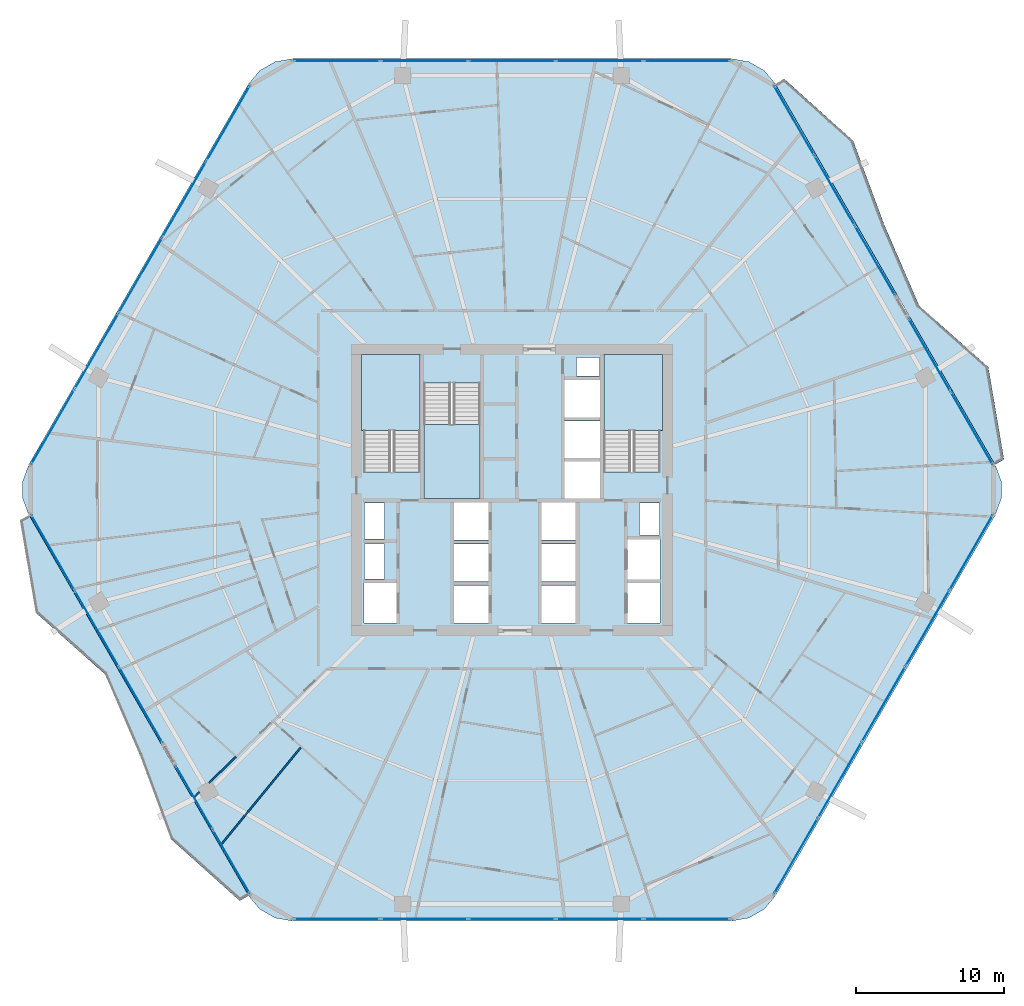
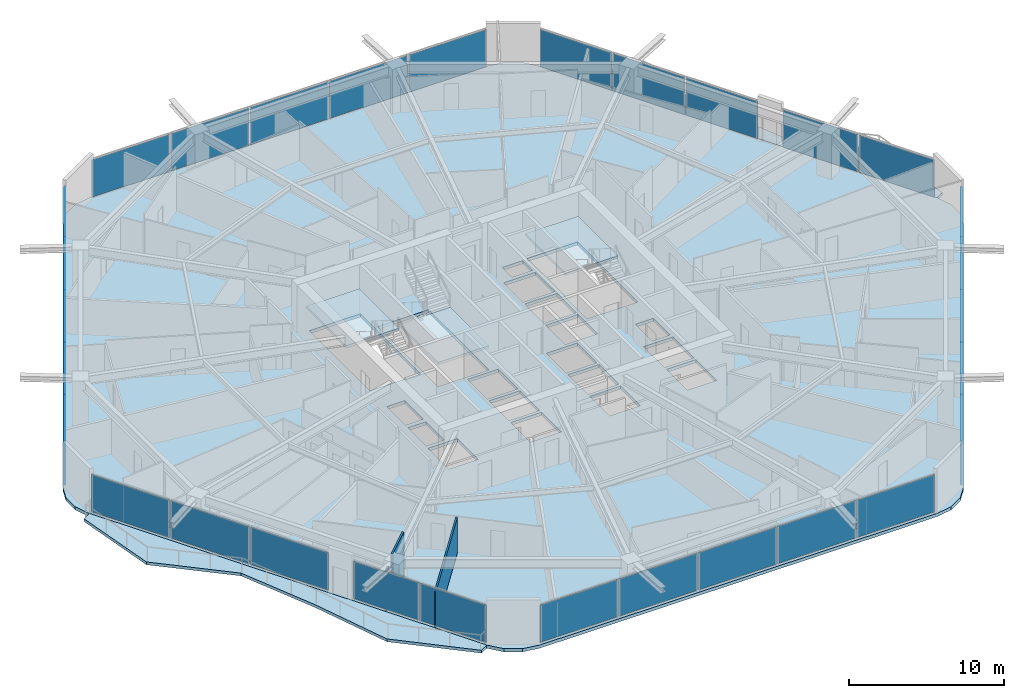
# One storey, part 23 of 32: 30 plates, 6 slabs, 3 walls, 11 elements without a shape of their own.
"""IFC4 building model written with IfcOpenShell, lengths in metres."""

from ifc_helpers import new_model, si_unit, direction, frame, frame_2d, origin, origin_2d, place, context, subcontext, project, spatial, polyline, rectangle, outline, extrude, material, layer, layer_set, type_object, element, aggregate, save


model = new_model("IFC4")

# Units and contexts
model_context = context("Model", 3, precision=1e-05, world=origin(), true_north=direction((0.0, 1.0)))
body_context = subcontext(model_context, "Body", "Model", "MODEL_VIEW")
ifc_project = project(units=[si_unit("LENGTHUNIT", "METRE"), si_unit("AREAUNIT", "SQUARE_METRE"), si_unit("VOLUMEUNIT", "CUBIC_METRE"), si_unit("PLANEANGLEUNIT", "RADIAN"), si_unit("MASSUNIT", "GRAM", prefix="KILO")], contexts=[model_context])

# Site, building, storey
site_placement = place(None, origin())
site = spatial("IfcSite", under=ifc_project, at=site_placement, CompositionType="ELEMENT")
building_placement = place(site_placement, origin())
building = spatial("IfcBuilding", under=site, at=building_placement, Name="Zuhravey Tower", CompositionType="ELEMENT")
storey_placement = place(building_placement, frame((0.0, 0.0, 111.39990234375)))
storey = spatial("IfcBuildingStorey", under=building, at=storey_placement, Name="L27", CompositionType="ELEMENT", Elevation=111.39990234375)

# Slabs
ifc_material_1 = material(Name="Concrete C50/60", Category="concrete")
ifc_layer_1 = layer(ifc_material_1, 0.25)
ifc_layer_set_1 = layer_set([ifc_layer_1], Name="Concrete C50/60")
slab_type_1 = type_object("IfcSlabType", Name="Residential Acoustic Slab 250", PredefinedType="FLOOR", material=ifc_layer_set_1)
slab_1_placement = place(storey_placement, frame((0.0, 0.0, -0.25)))
element("IfcSlab", 1, at=slab_1_placement, inside=storey, type_object=slab_type_1, Name="L27 Floor Slab FS25", PredefinedType="FLOOR", context=body_context, shape_type="SweptSolid", body=[
    extrude(outline(polyline([(68.618408203125, 30.300048828125), (69.0224609375, 31.40966796875), (69.0224609375, 32.59033203125), (68.618408203125, 33.699951171875), (53.781494140625, 59.3984375), (53.0224609375, 60.302978515625), (52.0, 60.893310546875), (50.8369140625, 61.098388671875), (21.1630859375, 61.098388671875), (20.0, 60.893310546875), (18.9775390625, 60.302978515625), (18.218505859375, 59.3984375), (3.381591796875, 33.699951171875), (2.9775390625, 32.59033203125), (2.9775390625, 31.40966796875), (3.381591796875, 30.300048828125), (18.218505859375, 4.6015625), (18.9775390625, 3.697021484375), (20.0, 3.106689453125), (21.1630859375, 2.901611328125), (50.8369140625, 2.901611328125), (52.0, 3.106689453125), (53.0224609375, 3.697021484375), (53.781494140625, 4.6015625), (68.618408203125, 30.300048828125)]), holes=[polyline([(29.800048828125, 33.20068359375), (29.800048828125, 41.0), (26.0, 41.0), (26.0, 33.20068359375), (29.800048828125, 33.20068359375)]), polyline([(46.0, 33.20068359375), (46.0, 41.0), (42.199951171875, 41.0), (42.199951171875, 33.20068359375), (46.0, 33.20068359375)]), polyline([(30.050048828125, 39.199462890625), (30.050048828125, 31.39990234375), (33.85009765625, 31.39990234375), (33.85009765625, 39.199462890625), (30.050048828125, 39.199462890625)]), polyline([(32.10009765625, 23.0), (34.39990234375, 23.0), (34.39990234375, 25.550048828125), (32.10009765625, 25.550048828125), (32.10009765625, 23.0)]), polyline([(32.10009765625, 25.800048828125), (34.39990234375, 25.800048828125), (34.39990234375, 28.35009765625), (32.10009765625, 28.35009765625), (32.10009765625, 25.800048828125)]), polyline([(32.10009765625, 28.60009765625), (34.39990234375, 28.60009765625), (34.39990234375, 31.14990234375), (32.10009765625, 31.14990234375), (32.10009765625, 28.60009765625)]), polyline([(38.0, 23.0), (40.300048828125, 23.0), (40.300048828125, 25.550048828125), (38.0, 25.550048828125), (38.0, 23.0)]), polyline([(38.0, 25.800048828125), (40.300048828125, 25.800048828125), (40.300048828125, 28.35009765625), (38.0, 28.35009765625), (38.0, 25.800048828125)]), polyline([(38.0, 28.60009765625), (40.300048828125, 28.60009765625), (40.300048828125, 31.14990234375), (38.0, 31.14990234375), (38.0, 28.60009765625)]), polyline([(39.550048828125, 31.39990234375), (41.949951171875, 31.39990234375), (41.949951171875, 33.89990234375), (39.550048828125, 33.89990234375), (39.550048828125, 31.39990234375)]), polyline([(39.550048828125, 34.14990234375), (41.949951171875, 34.14990234375), (41.949951171875, 36.64990234375), (39.550048828125, 36.64990234375), (39.550048828125, 34.14990234375)]), polyline([(39.550048828125, 36.89990234375), (41.949951171875, 36.89990234375), (41.949951171875, 39.39990234375), (39.550048828125, 39.39990234375), (39.550048828125, 36.89990234375)]), polyline([(26.0, 23.0), (28.199951171875, 23.0), (28.199951171875, 25.699951171875), (26.0, 25.699951171875), (26.0, 23.0)]), polyline([(43.800048828125, 23.0), (46.0, 23.0), (46.0, 25.699951171875), (43.800048828125, 25.699951171875), (43.800048828125, 23.0)]), polyline([(43.800048828125, 25.949951171875), (46.0, 25.949951171875), (46.0, 28.64990234375), (43.800048828125, 28.64990234375), (43.800048828125, 25.949951171875)]), polyline([(26.050048828125, 26.0), (27.39990234375, 26.0), (27.39990234375, 28.35009765625), (26.050048828125, 28.35009765625), (26.050048828125, 26.0)]), polyline([(26.050048828125, 28.699951171875), (27.39990234375, 28.699951171875), (27.39990234375, 31.10009765625), (26.050048828125, 31.10009765625), (26.050048828125, 28.699951171875)]), polyline([(44.60009765625, 28.949951171875), (45.949951171875, 28.949951171875), (45.949951171875, 31.10009765625), (44.60009765625, 31.10009765625), (44.60009765625, 28.949951171875)]), polyline([(40.35009765625, 39.699951171875), (41.89990234375, 39.699951171875), (41.89990234375, 40.949951171875), (40.35009765625, 40.949951171875), (40.35009765625, 39.699951171875)])]), origin(), (0.0, 0.0, 1.0), 0.25),
])
ifc_material_2 = material(Name="Concrete C40/50", Category="concrete")
ifc_layer_2 = layer(ifc_material_2, 0.219970703125)
ifc_layer_set_2 = layer_set([ifc_layer_2], Name="Concrete C40/50")
slab_type_2 = type_object("IfcSlabType", Name="Sinusoidal Residential Wave Balcony 220", PredefinedType="FLOOR", material=ifc_layer_set_2)
slab_2_placement = place(storey_placement, frame((0.0, 0.0, -0.219970703125)))
element("IfcSlab", 2, at=slab_2_placement, inside=storey, type_object=slab_type_2, Name="L27 Face 4 Wave Balcony WB22", PredefinedType="FLOOR", context=body_context, shape_type="SweptSolid", body=[
    extrude(outline(polyline([(3.398681640625, 30.300048828125), (18.227294921875, 4.616455078125), (17.62109375, 4.2666015625), (12.975830078125, 8.43359375), (10.888916015625, 14.07763671875), (8.523193359375, 19.560791015625), (3.853515625, 23.71337890625), (2.79248046875, 29.949951171875), (3.398681640625, 30.300048828125)])), origin(), (0.0, 0.0, 1.0), 0.219970703125),
])
slab_3_placement = place(storey_placement, frame((0.0, 0.0, -0.219970703125)))
element("IfcSlab", 3, at=slab_3_placement, inside=storey, type_object=slab_type_2, Name="L27 Face 1 Wave Balcony WB22", PredefinedType="FLOOR", context=body_context, shape_type="SweptSolid", body=[
    extrude(outline(polyline([(68.601318359375, 33.699951171875), (53.772705078125, 59.383544921875), (54.37890625, 59.7333984375), (59.024169921875, 55.56640625), (61.111083984375, 49.92236328125), (63.476806640625, 44.439208984375), (68.146484375, 40.28662109375), (69.20751953125, 34.050048828125), (68.601318359375, 33.699951171875)])), origin(), (0.0, 0.0, 1.0), 0.219970703125),
])

# Stair, slab
stair_type = type_object("IfcStairType", Name="Housing Storey Stair Assembly 3800", PredefinedType="HALF_TURN_STAIR", material=ifc_material_2)
stair_1_placement = place(storey_placement, origin())
stair_1 = element("IfcStair", 4, at=stair_1_placement, inside=storey, type_object=stair_type, Name="L27 Core Exit Stair ST1", PredefinedType="HALF_TURN_STAIR")
ifc_layer_3 = layer(ifc_material_2, 0.199951171875)
ifc_layer_set_3 = layer_set([ifc_layer_3], Name="Concrete C40/50")
slab_type_3 = type_object("IfcSlabType", Name="Stair Landing Slab 200", PredefinedType="LANDING", material=ifc_layer_set_3)
slab_4_placement = place(storey_placement, frame((0.0, 0.0, 1.7001953125)))
slab_4 = element("IfcSlab", 5, at=slab_4_placement, type_object=slab_type_3, Name="ST1 landing 1", PredefinedType="LANDING", context=body_context, shape_type="SweptSolid", body=[
    extrude(outline(polyline([(29.800048828125, 36.0), (29.800048828125, 41.14794921875), (25.85205078125, 41.14794921875), (25.85205078125, 36.0), (29.800048828125, 36.0)])), origin(), (0.0, 0.0, 1.0), 0.199951171875),
])
aggregate(stair_1, [slab_4])

stair_2_placement = place(storey_placement, origin())
stair_2 = element("IfcStair", 6, at=stair_2_placement, inside=storey, type_object=stair_type, Name="L27 Core Exit Stair ST2", PredefinedType="HALF_TURN_STAIR")
slab_5_placement = place(storey_placement, frame((0.0, 0.0, 1.7001953125)))
slab_5 = element("IfcSlab", 7, at=slab_5_placement, type_object=slab_type_3, Name="ST2 landing 1", PredefinedType="LANDING", context=body_context, shape_type="SweptSolid", body=[
    extrude(outline(polyline([(46.14794921875, 36.0), (46.14794921875, 41.14794921875), (42.199951171875, 41.14794921875), (42.199951171875, 36.0), (46.14794921875, 36.0)])), origin(), (0.0, 0.0, 1.0), 0.199951171875),
])
aggregate(stair_2, [slab_5])

stair_3_placement = place(storey_placement, origin())
stair_3 = element("IfcStair", 8, at=stair_3_placement, inside=storey, type_object=stair_type, Name="L27 Core Exit Stair ST3", PredefinedType="HALF_TURN_STAIR")
slab_6_placement = place(storey_placement, frame((0.0, 0.0, 1.7001953125)))
slab_6 = element("IfcSlab", 9, at=slab_6_placement, type_object=slab_type_3, Name="ST3 landing 1", PredefinedType="LANDING", context=body_context, shape_type="SweptSolid", body=[
    extrude(outline(polyline([(30.050048828125, 36.39990234375), (30.050048828125, 31.39990234375), (33.85009765625, 31.39990234375), (33.85009765625, 36.39990234375), (30.050048828125, 36.39990234375)])), origin(), (0.0, 0.0, 1.0), 0.199951171875),
])
aggregate(stair_3, [slab_6])

# Curtain wall, plates
ifc_material_3 = material(Name="Thermally broken anodised aluminium", Category="aluminium")
curtain_wall_type = type_object("IfcCurtainWallType", Name="Zone 1-2 Residential Curtain Wall CW3", PredefinedType="NOTDEFINED", material=ifc_material_3)
curtain_wall_1_placement = place(storey_placement, origin())
curtain_wall_1 = element("IfcCurtainWall", 10, at=curtain_wall_1_placement, inside=storey, type_object=curtain_wall_type, Name="L27 CW3 CW-L27-F6-1", PredefinedType="NOTDEFINED")
ifc_material_4 = material(Name="Triple low-E insulated vision glass", Category="glass")
ifc_layer_4 = layer(ifc_material_4, 0.0419921875)
ifc_layer_set_4 = layer_set([ifc_layer_4], Name="Triple low-E insulated vision glass")
plate_type = type_object("IfcPlateType", Name="Triple Low-E Vision Panel", PredefinedType="CURTAIN_PANEL", material=ifc_layer_set_4)
plate_1_placement = place(storey_placement, frame((66.9873046875, 27.754638671875, 0.090087890625), z_axis=(0.0, 0.0, 1.0), x_axis=(-0.499999794119, -0.86602552265, 0.0)))
plate_1 = element("IfcPlate", 11, at=plate_1_placement, type_object=plate_type, Name="CW3 panel 1.1", PredefinedType="CURTAIN_PANEL", context=body_context, shape_type="SweptSolid", body=[
    extrude(rectangle(XDim=5.784912109375, YDim=0.0419921875, at=origin_2d()), origin(), (0.0, 0.0, 1.0), 2.94189453125),
])
plate_2_placement = place(storey_placement, frame((64.03857421875, 22.6474609375, 0.090087890625), z_axis=(0.0, 0.0, 1.0), x_axis=(-0.499999794119, -0.86602552265, 0.0)))
plate_2 = element("IfcPlate", 12, at=plate_2_placement, type_object=plate_type, Name="CW3 panel 2.1", PredefinedType="CURTAIN_PANEL", context=body_context, shape_type="SweptSolid", body=[
    extrude(rectangle(XDim=5.829833984375, YDim=0.0419921875, at=origin_2d()), origin(), (0.0, 0.0, 1.0), 2.94189453125),
])
plate_3_placement = place(storey_placement, frame((61.078857421875, 17.520751953125, 0.090087890625), z_axis=(0.0, 0.0, 1.0), x_axis=(-0.499999794119, -0.86602552265, 0.0)))
plate_3 = element("IfcPlate", 13, at=plate_3_placement, type_object=plate_type, Name="CW3 panel 3.1", PredefinedType="CURTAIN_PANEL", context=body_context, shape_type="SweptSolid", body=[
    extrude(rectangle(XDim=5.829833984375, YDim=0.0419921875, at=origin_2d()), origin(), (0.0, 0.0, 1.0), 2.94189453125),
])
plate_4_placement = place(storey_placement, frame((58.118896484375, 12.39404296875, 0.090087890625), z_axis=(0.0, 0.0, 1.0), x_axis=(-0.499999794119, -0.86602552265, 0.0)))
plate_4 = element("IfcPlate", 14, at=plate_4_placement, type_object=plate_type, Name="CW3 panel 4.1", PredefinedType="CURTAIN_PANEL", context=body_context, shape_type="SweptSolid", body=[
    extrude(rectangle(XDim=5.829833984375, YDim=0.0419921875, at=origin_2d()), origin(), (0.0, 0.0, 1.0), 2.94189453125),
])
plate_5_placement = place(storey_placement, frame((55.170166015625, 7.286865234375, 0.090087890625), z_axis=(0.0, 0.0, 1.0), x_axis=(-0.499999794119, -0.86602552265, 0.0)))
plate_5 = element("IfcPlate", 15, at=plate_5_placement, type_object=plate_type, Name="CW3 panel 5.1", PredefinedType="CURTAIN_PANEL", context=body_context, shape_type="SweptSolid", body=[
    extrude(rectangle(XDim=5.784912109375, YDim=0.0419921875, at=origin_2d()), origin(), (0.0, 0.0, 1.0), 2.94189453125),
])
aggregate(curtain_wall_1, [plate_1, plate_2, plate_3, plate_4, plate_5])

curtain_wall_2_placement = place(storey_placement, origin())
curtain_wall_2 = element("IfcCurtainWall", 16, at=curtain_wall_2_placement, inside=storey, type_object=curtain_wall_type, Name="L27 CW3 CW-L27-F5-1", PredefinedType="NOTDEFINED")
plate_6_placement = place(storey_placement, frame((47.817138671875, 3.04150390625, 0.090087890625), z_axis=(0.0, 0.0, 1.0), x_axis=(-1.0, 0.0, 0.0)))
plate_6 = element("IfcPlate", 17, at=plate_6_placement, type_object=plate_type, Name="CW3 panel 1.1", PredefinedType="CURTAIN_PANEL", context=body_context, shape_type="SweptSolid", body=[
    extrude(rectangle(XDim=5.784912109375, YDim=0.0419921875, at=origin_2d()), origin(), (0.0, 0.0, 1.0), 2.94189453125),
])
plate_7_placement = place(storey_placement, frame((41.919921875, 3.04150390625, 0.090087890625), z_axis=(0.0, 0.0, 1.0), x_axis=(-1.0, 0.0, 0.0)))
plate_7 = element("IfcPlate", 18, at=plate_7_placement, type_object=plate_type, Name="CW3 panel 2.1", PredefinedType="CURTAIN_PANEL", context=body_context, shape_type="SweptSolid", body=[
    extrude(rectangle(XDim=5.829833984375, YDim=0.0419921875, at=origin_2d()), origin(), (0.0, 0.0, 1.0), 2.94189453125),
])
plate_8_placement = place(storey_placement, frame((36.0, 3.04150390625, 0.090087890625), z_axis=(0.0, 0.0, 1.0), x_axis=(-1.0, 0.0, 0.0)))
plate_8 = element("IfcPlate", 19, at=plate_8_placement, type_object=plate_type, Name="CW3 panel 3.1", PredefinedType="CURTAIN_PANEL", context=body_context, shape_type="SweptSolid", body=[
    extrude(rectangle(XDim=5.829833984375, YDim=0.0419921875, at=origin_2d()), origin(), (0.0, 0.0, 1.0), 2.94189453125),
])
plate_9_placement = place(storey_placement, frame((30.080078125, 3.04150390625, 0.090087890625), z_axis=(0.0, 0.0, 1.0), x_axis=(-1.0, 0.0, 0.0)))
plate_9 = element("IfcPlate", 20, at=plate_9_placement, type_object=plate_type, Name="CW3 panel 4.1", PredefinedType="CURTAIN_PANEL", context=body_context, shape_type="SweptSolid", body=[
    extrude(rectangle(XDim=5.829833984375, YDim=0.0419921875, at=origin_2d()), origin(), (0.0, 0.0, 1.0), 2.94189453125),
])
plate_10_placement = place(storey_placement, frame((24.182861328125, 3.04150390625, 0.090087890625), z_axis=(0.0, 0.0, 1.0), x_axis=(-1.0, 0.0, 0.0)))
plate_10 = element("IfcPlate", 21, at=plate_10_placement, type_object=plate_type, Name="CW3 panel 5.1", PredefinedType="CURTAIN_PANEL", context=body_context, shape_type="SweptSolid", body=[
    extrude(rectangle(XDim=5.784912109375, YDim=0.0419921875, at=origin_2d()), origin(), (0.0, 0.0, 1.0), 2.94189453125),
])
aggregate(curtain_wall_2, [plate_6, plate_7, plate_8, plate_9, plate_10])

curtain_wall_3_placement = place(storey_placement, origin())
curtain_wall_3 = element("IfcCurtainWall", 22, at=curtain_wall_3_placement, inside=storey, type_object=curtain_wall_type, Name="L27 CW3 CW-L27-F4-1", PredefinedType="NOTDEFINED")
plate_11_placement = place(storey_placement, frame((17.052001953125, 6.90185546875, 0.090087890625), z_axis=(0.0, 0.0, 1.0), x_axis=(-0.49999889863, 0.86602603966, 0.0)))
plate_11 = element("IfcPlate", 23, at=plate_11_placement, type_object=plate_type, Name="CW3 panel 1.1", PredefinedType="CURTAIN_PANEL", context=body_context, shape_type="SweptSolid", body=[
    extrude(rectangle(XDim=4.89599609375, YDim=0.0419921875, at=origin_2d()), origin(), (0.0, 0.0, 1.0), 2.94189453125),
])
plate_12_placement = place(storey_placement, frame((14.55908203125, 11.219970703125, 0.090087890625), z_axis=(0.0, 0.0, 1.0), x_axis=(-0.49999889863, 0.86602603966, 0.0)))
plate_12 = element("IfcPlate", 24, at=plate_12_placement, type_object=plate_type, Name="CW3 panel 2.1", PredefinedType="CURTAIN_PANEL", context=body_context, shape_type="SweptSolid", body=[
    extrude(rectangle(XDim=4.89599609375, YDim=0.0419921875, at=origin_2d()), origin(), (0.0, 0.0, 1.0), 2.94189453125),
])
aggregate(curtain_wall_3, [plate_11, plate_12])

curtain_wall_4_placement = place(storey_placement, origin())
curtain_wall_4 = element("IfcCurtainWall", 25, at=curtain_wall_4_placement, inside=storey, type_object=curtain_wall_type, Name="L27 CW3 CW-L27-F4-2", PredefinedType="NOTDEFINED")
plate_13_placement = place(storey_placement, frame((10.9423828125, 17.484130859375, 0.090087890625), z_axis=(0.0, 0.0, 1.0), x_axis=(-0.499999231236, 0.86602584763, 0.0)))
plate_13 = element("IfcPlate", 26, at=plate_13_placement, type_object=plate_type, Name="CW3 panel 1.1", PredefinedType="CURTAIN_PANEL", context=body_context, shape_type="SweptSolid", body=[
    extrude(rectangle(XDim=5.810791015625, YDim=0.0419921875, at=origin_2d()), origin(), (0.0, 0.0, 1.0), 2.94189453125),
])
plate_14_placement = place(storey_placement, frame((7.980712890625, 22.61376953125, 0.090087890625), z_axis=(0.0, 0.0, 1.0), x_axis=(-0.499999231236, 0.86602584763, 0.0)))
plate_14 = element("IfcPlate", 27, at=plate_14_placement, type_object=plate_type, Name="CW3 panel 2.1", PredefinedType="CURTAIN_PANEL", context=body_context, shape_type="SweptSolid", body=[
    extrude(rectangle(XDim=5.855712890625, YDim=0.0419921875, at=origin_2d()), origin(), (0.0, 0.0, 1.0), 2.94189453125),
])
plate_15_placement = place(storey_placement, frame((5.019287109375, 27.743408203125, 0.090087890625), z_axis=(0.0, 0.0, 1.0), x_axis=(-0.499999231236, 0.86602584763, 0.0)))
plate_15 = element("IfcPlate", 28, at=plate_15_placement, type_object=plate_type, Name="CW3 panel 3.1", PredefinedType="CURTAIN_PANEL", context=body_context, shape_type="SweptSolid", body=[
    extrude(rectangle(XDim=5.810791015625, YDim=0.0419921875, at=origin_2d()), origin(), (0.0, 0.0, 1.0), 2.94189453125),
])
aggregate(curtain_wall_4, [plate_13, plate_14, plate_15])

curtain_wall_5_placement = place(storey_placement, origin())
curtain_wall_5 = element("IfcCurtainWall", 29, at=curtain_wall_5_placement, inside=storey, type_object=curtain_wall_type, Name="L27 CW3 CW-L27-F3-1", PredefinedType="NOTDEFINED")
plate_16_placement = place(storey_placement, frame((5.0126953125, 36.245361328125, 0.090087890625), z_axis=(0.0, 0.0, 1.0), x_axis=(0.499999794119, 0.86602552265, 0.0)))
plate_16 = element("IfcPlate", 30, at=plate_16_placement, type_object=plate_type, Name="CW3 panel 1.1", PredefinedType="CURTAIN_PANEL", context=body_context, shape_type="SweptSolid", body=[
    extrude(rectangle(XDim=5.784912109375, YDim=0.0419921875, at=origin_2d()), origin(), (0.0, 0.0, 1.0), 2.94189453125),
])
plate_17_placement = place(storey_placement, frame((7.96142578125, 41.3525390625, 0.090087890625), z_axis=(0.0, 0.0, 1.0), x_axis=(0.499999794119, 0.86602552265, 0.0)))
plate_17 = element("IfcPlate", 31, at=plate_17_placement, type_object=plate_type, Name="CW3 panel 2.1", PredefinedType="CURTAIN_PANEL", context=body_context, shape_type="SweptSolid", body=[
    extrude(rectangle(XDim=5.829833984375, YDim=0.0419921875, at=origin_2d()), origin(), (0.0, 0.0, 1.0), 2.94189453125),
])
plate_18_placement = place(storey_placement, frame((10.921142578125, 46.479248046875, 0.090087890625), z_axis=(0.0, 0.0, 1.0), x_axis=(0.499999794119, 0.86602552265, 0.0)))
plate_18 = element("IfcPlate", 32, at=plate_18_placement, type_object=plate_type, Name="CW3 panel 3.1", PredefinedType="CURTAIN_PANEL", context=body_context, shape_type="SweptSolid", body=[
    extrude(rectangle(XDim=5.829833984375, YDim=0.0419921875, at=origin_2d()), origin(), (0.0, 0.0, 1.0), 2.94189453125),
])
plate_19_placement = place(storey_placement, frame((13.881103515625, 51.60595703125, 0.090087890625), z_axis=(0.0, 0.0, 1.0), x_axis=(0.499999794119, 0.86602552265, 0.0)))
plate_19 = element("IfcPlate", 33, at=plate_19_placement, type_object=plate_type, Name="CW3 panel 4.1", PredefinedType="CURTAIN_PANEL", context=body_context, shape_type="SweptSolid", body=[
    extrude(rectangle(XDim=5.829833984375, YDim=0.0419921875, at=origin_2d()), origin(), (0.0, 0.0, 1.0), 2.94189453125),
])
plate_20_placement = place(storey_placement, frame((16.829833984375, 56.713134765625, 0.090087890625), z_axis=(0.0, 0.0, 1.0), x_axis=(0.499999794119, 0.86602552265, 0.0)))
plate_20 = element("IfcPlate", 34, at=plate_20_placement, type_object=plate_type, Name="CW3 panel 5.1", PredefinedType="CURTAIN_PANEL", context=body_context, shape_type="SweptSolid", body=[
    extrude(rectangle(XDim=5.784912109375, YDim=0.0419921875, at=origin_2d()), origin(), (0.0, 0.0, 1.0), 2.94189453125),
])
aggregate(curtain_wall_5, [plate_16, plate_17, plate_18, plate_19, plate_20])

curtain_wall_6_placement = place(storey_placement, origin())
curtain_wall_6 = element("IfcCurtainWall", 35, at=curtain_wall_6_placement, inside=storey, type_object=curtain_wall_type, Name="L27 CW3 CW-L27-F2-1", PredefinedType="NOTDEFINED")
plate_21_placement = place(storey_placement, frame((24.182861328125, 60.95849609375, 0.090087890625), z_axis=(0.0, 0.0, 1.0), x_axis=(1.0, 0.0, 0.0)))
plate_21 = element("IfcPlate", 36, at=plate_21_placement, type_object=plate_type, Name="CW3 panel 1.1", PredefinedType="CURTAIN_PANEL", context=body_context, shape_type="SweptSolid", body=[
    extrude(rectangle(XDim=5.784912109375, YDim=0.0419921875, at=origin_2d()), origin(), (0.0, 0.0, 1.0), 2.94189453125),
])
plate_22_placement = place(storey_placement, frame((30.080078125, 60.95849609375, 0.090087890625), z_axis=(0.0, 0.0, 1.0), x_axis=(1.0, 0.0, 0.0)))
plate_22 = element("IfcPlate", 37, at=plate_22_placement, type_object=plate_type, Name="CW3 panel 2.1", PredefinedType="CURTAIN_PANEL", context=body_context, shape_type="SweptSolid", body=[
    extrude(rectangle(XDim=5.829833984375, YDim=0.0419921875, at=origin_2d()), origin(), (0.0, 0.0, 1.0), 2.94189453125),
])
plate_23_placement = place(storey_placement, frame((36.0, 60.95849609375, 0.090087890625), z_axis=(0.0, 0.0, 1.0), x_axis=(1.0, 0.0, 0.0)))
plate_23 = element("IfcPlate", 38, at=plate_23_placement, type_object=plate_type, Name="CW3 panel 3.1", PredefinedType="CURTAIN_PANEL", context=body_context, shape_type="SweptSolid", body=[
    extrude(rectangle(XDim=5.829833984375, YDim=0.0419921875, at=origin_2d()), origin(), (0.0, 0.0, 1.0), 2.94189453125),
])
plate_24_placement = place(storey_placement, frame((41.919921875, 60.95849609375, 0.090087890625), z_axis=(0.0, 0.0, 1.0), x_axis=(1.0, 0.0, 0.0)))
plate_24 = element("IfcPlate", 39, at=plate_24_placement, type_object=plate_type, Name="CW3 panel 4.1", PredefinedType="CURTAIN_PANEL", context=body_context, shape_type="SweptSolid", body=[
    extrude(rectangle(XDim=5.829833984375, YDim=0.0419921875, at=origin_2d()), origin(), (0.0, 0.0, 1.0), 2.94189453125),
])
plate_25_placement = place(storey_placement, frame((47.817138671875, 60.95849609375, 0.090087890625), z_axis=(0.0, 0.0, 1.0), x_axis=(1.0, 0.0, 0.0)))
plate_25 = element("IfcPlate", 40, at=plate_25_placement, type_object=plate_type, Name="CW3 panel 5.1", PredefinedType="CURTAIN_PANEL", context=body_context, shape_type="SweptSolid", body=[
    extrude(rectangle(XDim=5.784912109375, YDim=0.0419921875, at=origin_2d()), origin(), (0.0, 0.0, 1.0), 2.94189453125),
])
aggregate(curtain_wall_6, [plate_21, plate_22, plate_23, plate_24, plate_25])

curtain_wall_7_placement = place(storey_placement, origin())
curtain_wall_7 = element("IfcCurtainWall", 41, at=curtain_wall_7_placement, inside=storey, type_object=curtain_wall_type, Name="L27 CW3 CW-L27-F1-1", PredefinedType="NOTDEFINED")
plate_26_placement = place(storey_placement, frame((55.058349609375, 56.90673828125, 0.090087890625), z_axis=(0.0, 0.0, 1.0), x_axis=(0.500000133964, -0.86602532644, 0.0)))
plate_26 = element("IfcPlate", 42, at=plate_26_placement, type_object=plate_type, Name="CW3 panel 1.1", PredefinedType="CURTAIN_PANEL", context=body_context, shape_type="SweptSolid", body=[
    extrude(rectangle(XDim=5.337646484375, YDim=0.0419921875, at=origin_2d()), origin(), (0.0, 0.0, 1.0), 2.94189453125),
])
plate_27_placement = place(storey_placement, frame((57.783447265625, 52.186767578125, 0.090087890625), z_axis=(0.0, 0.0, 1.0), x_axis=(0.500000133964, -0.86602532644, 0.0)))
plate_27 = element("IfcPlate", 43, at=plate_27_placement, type_object=plate_type, Name="CW3 panel 2.1", PredefinedType="CURTAIN_PANEL", context=body_context, shape_type="SweptSolid", body=[
    extrude(rectangle(XDim=5.382568359375, YDim=0.0419921875, at=origin_2d()), origin(), (0.0, 0.0, 1.0), 2.94189453125),
])
plate_28_placement = place(storey_placement, frame((60.508544921875, 47.466796875, 0.090087890625), z_axis=(0.0, 0.0, 1.0), x_axis=(0.500000133964, -0.86602532644, 0.0)))
plate_28 = element("IfcPlate", 44, at=plate_28_placement, type_object=plate_type, Name="CW3 panel 3.1", PredefinedType="CURTAIN_PANEL", context=body_context, shape_type="SweptSolid", body=[
    extrude(rectangle(XDim=5.337646484375, YDim=0.0419921875, at=origin_2d()), origin(), (0.0, 0.0, 1.0), 2.94189453125),
])
aggregate(curtain_wall_7, [plate_26, plate_27, plate_28])

curtain_wall_8_placement = place(storey_placement, origin())
curtain_wall_8 = element("IfcCurtainWall", 45, at=curtain_wall_8_placement, inside=storey, type_object=curtain_wall_type, Name="L27 CW3 CW-L27-F1-2", PredefinedType="NOTDEFINED")
plate_29_placement = place(storey_placement, frame((64.184326171875, 41.10009765625, 0.090087890625), z_axis=(0.0, 0.0, 1.0), x_axis=(0.500001420401, -0.866024583714, 0.0)))
plate_29 = element("IfcPlate", 46, at=plate_29_placement, type_object=plate_type, Name="CW3 panel 1.1", PredefinedType="CURTAIN_PANEL", context=body_context, shape_type="SweptSolid", body=[
    extrude(rectangle(XDim=5.60546875, YDim=0.0419921875, at=origin_2d()), origin(), (0.0, 0.0, 1.0), 2.94189453125),
])
plate_30_placement = place(storey_placement, frame((67.0322265625, 36.167724609375, 0.090087890625), z_axis=(0.0, 0.0, 1.0), x_axis=(0.500001420401, -0.866024583714, 0.0)))
plate_30 = element("IfcPlate", 47, at=plate_30_placement, type_object=plate_type, Name="CW3 panel 2.1", PredefinedType="CURTAIN_PANEL", context=body_context, shape_type="SweptSolid", body=[
    extrude(rectangle(XDim=5.60546875, YDim=0.0419921875, at=origin_2d()), origin(), (0.0, 0.0, 1.0), 2.94189453125),
])
aggregate(curtain_wall_8, [plate_29, plate_30])

# Walls
ifc_material_5 = material(Name="Gypsum metal-stud partition")
ifc_layer_5 = layer(ifc_material_5, 0.1201171875)
ifc_layer_set_5 = layer_set([ifc_layer_5], Name="Gypsum metal-stud partition")
wall_type = type_object("IfcWallType", Name="Unit Internal Partition 120", PredefinedType="PARTITIONING", material=ifc_layer_set_5)
wall_1_placement = place(storey_placement, frame((21.736083984375, 14.603759765625, 0.0), z_axis=(0.0, 0.0, 1.0), x_axis=(-0.634046199825, -0.773295167765, 0.0)))
element("IfcWall", 48, at=wall_1_placement, inside=storey, type_object=wall_type, Name="L27 IW12 Partition 114", PredefinedType="PARTITIONING", context=body_context, shape_type="SweptSolid", body=[
    extrude(rectangle(XDim=8.482421875, YDim=0.1201171875, at=frame_2d((4.2412109375, 0.0))), origin(), (0.0, 0.0, 1.0), 2.800048828125),
])
wall_2_placement = place(storey_placement, frame((17.37255859375, 13.986572265625, 0.0), z_axis=(0.0, 0.0, 1.0), x_axis=(-0.718827348766, -0.695188638189, 0.0)))
element("IfcWall", 49, at=wall_2_placement, inside=storey, type_object=wall_type, Name="L27 IW12 Partition 116", PredefinedType="PARTITIONING", context=body_context, shape_type="SweptSolid", body=[
    extrude(rectangle(XDim=2.551025390625, YDim=0.1201171875, at=frame_2d((1.275390625, 0.0))), origin(), (0.0, 0.0, 1.0), 3.550048828125),
])
wall_3_placement = place(storey_placement, frame((14.910888671875, 11.606201171875, 0.0), z_axis=(0.0, 0.0, 1.0), x_axis=(-0.718799796591, -0.695217126099, 0.0)))
element("IfcWall", 50, at=wall_3_placement, inside=storey, type_object=wall_type, Name="L27 IW12 Partition 117", PredefinedType="PARTITIONING", context=body_context, shape_type="SweptSolid", body=[
    extrude(rectangle(XDim=0.517578125, YDim=0.1201171875, at=frame_2d((0.2587890625, 0.0))), origin(), (0.0, 0.0, 1.0), 3.1220703125),
])

save(model, "model.ifc")
